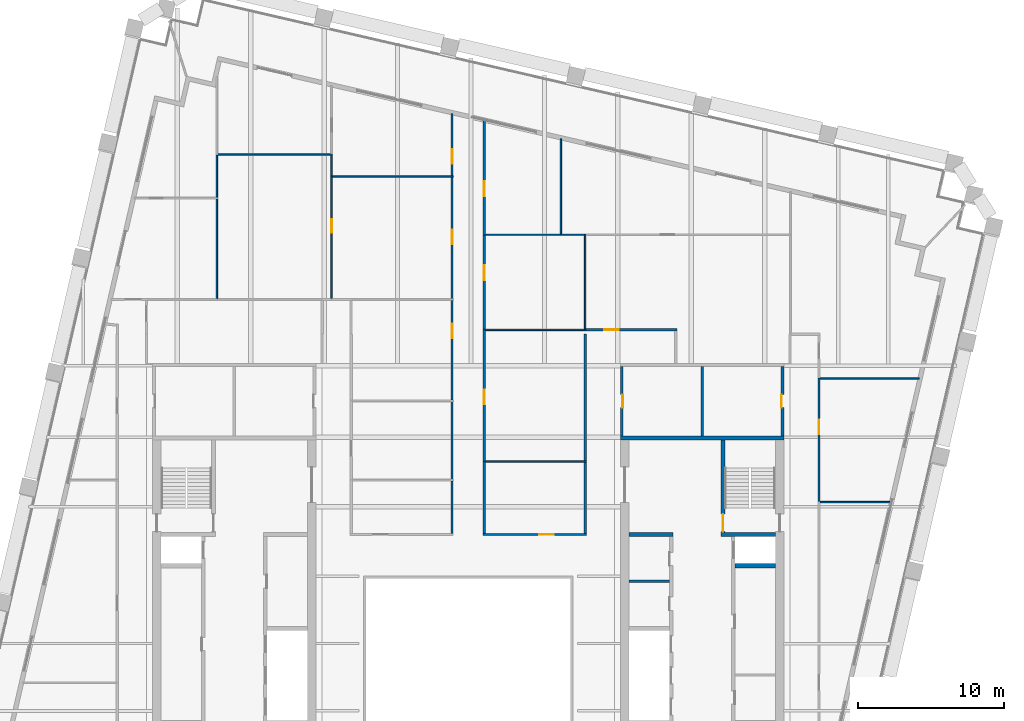
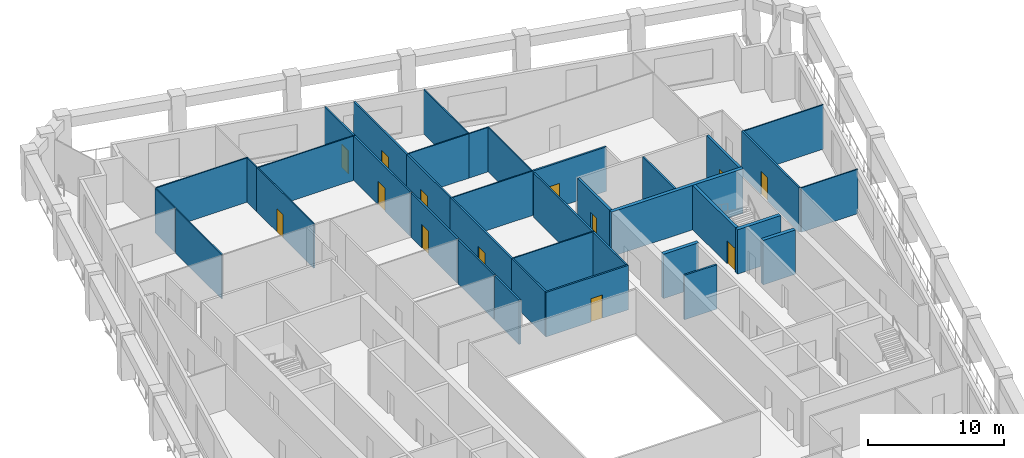
# One storey, part 8 of 10: 37 walls, 13 doors, 13 openings.
"""IFC4 building model written with IfcOpenShell, lengths in metres."""

import ifcopenshell
import ifcopenshell.guid

model = None  # the IFC model being written
_history = None  # IfcOwnerHistory: only IFC2X3 demands one
_inside = {}  # id of a spatial element -> (the spatial element, [elements in it])
_under = {}  # id of a project, library or spatial element -> (it, [spatial elements below it])
_declared = {}  # id of a project -> (the project, [libraries it declares])
_typed = {}  # id of a type object -> (the type object, [elements of that type])
_made_of = {}  # id of a material, layer set ... -> (it, [elements and type objects made of it])


def new_model(schema):
    """Start an empty IFC model of exactly this schema.

    Asked for "IFC4X3", IfcOpenShell would pick the latest addendum, in which some entities
    have other attributes; the version numbers below select the first issue.
    IFC2X3 requires an IfcOwnerHistory on every rooted entity: one is made here for all.
    """
    global model, _history
    if schema == "IFC4X3":
        model = ifcopenshell.file(schema_version=(4, 3, 0, 0))
    else:
        model = ifcopenshell.file(schema=schema)
    _inside.clear()
    _under.clear()
    _declared.clear()
    _typed.clear()
    _made_of.clear()
    _history = None
    if model.schema == "IFC2X3":
        org = make("IfcOrganization", Name="unknown")
        user = make(
            "IfcPersonAndOrganization",
            ThePerson=make("IfcPerson", FamilyName="unknown"),
            TheOrganization=org,
        )
        app = make(
            "IfcApplication",
            ApplicationDeveloper=org,
            Version="unknown",
            ApplicationFullName="unknown",
            ApplicationIdentifier="unknown",
        )
        _history = make(
            "IfcOwnerHistory",
            OwningUser=user,
            OwningApplication=app,
            ChangeAction="ADDED",
            CreationDate=0,
        )
    return model


def make(cls, **values):
    """One entity of the class cls with the attributes given. An attribute that is None is left unset."""
    return model.create_entity(
        cls, **{name: value for name, value in values.items() if value is not None}
    )


def rooted(cls, **values):
    """An entity with a GlobalId (a new one), such as an element, a storey or a relation."""
    return make(cls, GlobalId=ifcopenshell.guid.new(), OwnerHistory=_history, **values)


def si_unit(unit_type, name, prefix=None):
    """IfcSIUnit, for example si_unit("LENGTHUNIT", "METRE", prefix="MILLI")."""
    return make("IfcSIUnit", UnitType=unit_type, Prefix=prefix, Name=name)


def assignment(units):
    """IfcUnitAssignment: the units of a project."""
    return None if units is None else make("IfcUnitAssignment", Units=units)


def point(xyz):
    """IfcCartesianPoint."""
    return None if xyz is None else make("IfcCartesianPoint", Coordinates=xyz)


def direction(xyz):
    """IfcDirection."""
    return None if xyz is None else make("IfcDirection", DirectionRatios=xyz)


def frame(location, z_axis=None, x_axis=None):
    """IfcAxis2Placement3D, a coordinate frame: its origin and axes. An axis left out is left unset."""
    return make(
        "IfcAxis2Placement3D",
        Location=point(location),
        Axis=direction(z_axis),
        RefDirection=direction(x_axis),
    )


def frame_2d(location, x_axis=None):
    """IfcAxis2Placement2D, a coordinate frame in the plane: its origin and x axis."""
    return make(
        "IfcAxis2Placement2D", Location=point(location), RefDirection=direction(x_axis)
    )


def origin():
    """The frame at (0, 0, 0) with its axes left unset."""
    return frame((0.0, 0.0, 0.0))


def place(relative_to, where):
    """IfcLocalPlacement: puts the frame where relative to a parent placement (None: the world)."""
    return make(
        "IfcLocalPlacement", PlacementRelTo=relative_to, RelativePlacement=where
    )


def context(
    kind, dimensions, precision=None, world=None, true_north=None, identifier=None
):
    """IfcGeometricRepresentationContext, for example the 3D "Model" context."""
    return make(
        "IfcGeometricRepresentationContext",
        ContextIdentifier=identifier,
        ContextType=kind,
        CoordinateSpaceDimension=dimensions,
        Precision=precision,
        WorldCoordinateSystem=world,
        TrueNorth=true_north,
    )


def subcontext(parent, identifier, kind, view, scale=None):
    """IfcGeometricRepresentationSubContext, for example "Body" below "Model"."""
    return make(
        "IfcGeometricRepresentationSubContext",
        ContextIdentifier=identifier,
        ContextType=kind,
        ParentContext=parent,
        TargetScale=scale,
        TargetView=view,
    )


def project(units=None, contexts=None):
    """IfcProject with its units and contexts."""
    return rooted(
        "IfcProject",
        Name="project",
        RepresentationContexts=contexts,
        UnitsInContext=assignment(units),
    )


def spatial(cls, under=None, at=None, **own):
    """A site, building, storey or space (cls), placed at a placement, below another one or the project."""
    s = rooted(cls, ObjectPlacement=at, **own)
    if under is not None:
        _under.setdefault(under.id(), (under, []))[1].append(s)
    return s


def profile(cls, at=None, kind="AREA", **sizes):
    """A parametric profile (cls). Its sizes go by their IFC names, for example OverallWidth=200.0."""
    return make(cls, ProfileType=kind, Position=at, **sizes)


def rectangle(**sizes):
    """IfcRectangleProfileDef."""
    return profile("IfcRectangleProfileDef", **sizes)


def extrude(swept, where, along, depth):
    """IfcExtrudedAreaSolid: the profile swept, set in the frame where, extruded along a direction by depth."""
    return make(
        "IfcExtrudedAreaSolid",
        SweptArea=swept,
        Position=where,
        ExtrudedDirection=direction(along),
        Depth=depth,
    )


def shape(context_of_items, identifier, shape_type, items):
    """IfcShapeRepresentation: the items that make up one representation, for example the "Body"."""
    return make(
        "IfcShapeRepresentation",
        ContextOfItems=context_of_items,
        RepresentationIdentifier=identifier,
        RepresentationType=shape_type,
        Items=items,
    )


def material(Name=None, Category=None):
    """IfcMaterial."""
    return make("IfcMaterial", Name=Name, Category=Category)


def layer(
    of_material, thickness, ventilated=None, Name=None, Category=None, Priority=None
):
    """IfcMaterialLayer: one layer of a wall or slab, of a material (None: an air gap)."""
    return make(
        "IfcMaterialLayer",
        Material=of_material,
        LayerThickness=thickness,
        IsVentilated=ventilated,
        Name=Name,
        Category=Category,
        Priority=Priority,
    )


def layer_set(layers, Name=None):
    """IfcMaterialLayerSet."""
    return make("IfcMaterialLayerSet", MaterialLayers=layers, LayerSetName=Name)


def made_of(thing, what):
    """Note that an element or type object is made of a material, layer set ...; save() writes the relation."""
    if what is not None:
        _made_of.setdefault(what.id(), (what, []))[1].append(thing)
    return thing


def type_object(cls, material=None, **own):
    """A type object (cls), such as IfcWallType, which elements share."""
    return made_of(rooted(cls, **own), material)


def element(
    cls,
    number,
    at=None,
    inside=None,
    cuts=None,
    type_object=None,
    material=None,
    context=None,
    identifier="Body",
    shape_type=None,
    held_by="IfcProductDefinitionShape",
    body=None,
    shapes=None,
    **own,
):
    """One element of the class cls, such as IfcWall. Its Tag is "e" and its number.

    at: its placement. inside: the storey or other place that contains it. cuts: it is an
    opening in that element (IfcRelVoidsElement). A single representation is given by context,
    identifier, shape_type and body (its items); several are given by shapes. held_by: the class
    of the entity that holds the representations. save() writes the other relations.
    """
    e = rooted(cls, Tag="e%d" % number, ObjectPlacement=at, **own)
    if body is not None:
        shapes = [shape(context, identifier, shape_type, body)]
    if shapes is not None:
        e.Representation = make(held_by, Representations=shapes)
    if inside is not None:
        _inside.setdefault(inside.id(), (inside, []))[1].append(e)
    if cuts is not None:
        rooted(
            "IfcRelVoidsElement", RelatingBuildingElement=cuts, RelatedOpeningElement=e
        )
    if type_object is not None:
        _typed.setdefault(type_object.id(), (type_object, []))[1].append(e)
    return made_of(e, material)


def fill(opening, filler):
    """IfcRelFillsElement: the door or window that sits in an opening."""
    return rooted(
        "IfcRelFillsElement",
        RelatingOpeningElement=opening,
        RelatedBuildingElement=filler,
    )


def aggregate(whole, parts):
    """IfcRelAggregates: a whole, such as a stair, and the parts it consists of."""
    return rooted("IfcRelAggregates", RelatingObject=whole, RelatedObjects=parts)


def save(model, path):
    """Write the relations noted so far, then the file.

    IfcRelAggregates (storeys below a building ...), IfcRelContainedInSpatialStructure (elements
    in a storey), IfcRelDefinesByType, IfcRelAssociatesMaterial and IfcRelDeclares: one each for
    every whole, place, type object, material and project.
    """
    for whole, parts in _under.values():
        aggregate(whole, parts)
    for where, things in _inside.values():
        rooted(
            "IfcRelContainedInSpatialStructure",
            RelatedElements=things,
            RelatingStructure=where,
        )
    for kind, things in _typed.values():
        rooted("IfcRelDefinesByType", RelatedObjects=things, RelatingType=kind)
    for what, things in _made_of.values():
        rooted("IfcRelAssociatesMaterial", RelatedObjects=things, RelatingMaterial=what)
    for by, libraries in _declared.values():
        rooted("IfcRelDeclares", RelatingContext=by, RelatedDefinitions=libraries)
    model.write(path)


model = new_model("IFC4")

# Units and contexts
model_context = context("Model", 3, precision=1e-05, world=origin(), true_north=direction((0.0, 1.0)))
body_context = subcontext(model_context, "Body", "Model", "MODEL_VIEW")
ifc_project = project(units=[si_unit("LENGTHUNIT", "METRE"), si_unit("AREAUNIT", "SQUARE_METRE"), si_unit("VOLUMEUNIT", "CUBIC_METRE"), si_unit("PLANEANGLEUNIT", "RADIAN"), si_unit("MASSUNIT", "GRAM", prefix="KILO")], contexts=[model_context])

# Site, building, storey
site_placement = place(None, origin())
site = spatial("IfcSite", under=ifc_project, at=site_placement, CompositionType="ELEMENT")
building_placement = place(site_placement, origin())
building = spatial("IfcBuilding", under=site, at=building_placement, Name="Ogive Exchange Tower", CompositionType="ELEMENT")
storey_placement = place(building_placement, frame((0.0, 0.0, 255.60009765625)))
storey = spatial("IfcBuildingStorey", under=building, at=storey_placement, Name="L55", CompositionType="ELEMENT", Elevation=255.60009765625)

# Walls
ifc_material_1 = material(Name="Gypsum board partition")
ifc_layer_1 = layer(ifc_material_1, 0.14990234375)
ifc_layer_set_1 = layer_set([ifc_layer_1], Name="Core room partition 150 gypsum")
wall_type_1 = type_object("IfcWallType", Name="Core room partition 150 gypsum", PredefinedType="PARTITIONING", material=ifc_layer_set_1)
wall_1_placement = place(storey_placement, frame((11.0, 15.800048828125, 0.0), z_axis=(0.0, 0.0, 1.0), x_axis=(1.0, 0.0, 0.0)))
element("IfcWall", 1, at=wall_1_placement, inside=storey, type_object=wall_type_1, Name="E row B bay partition 4-1", PredefinedType="PARTITIONING", context=body_context, shape_type="SweptSolid", body=[
    extrude(rectangle(XDim=2.75, YDim=0.14990234375, at=frame_2d((1.375, 0.0))), origin(), (0.0, 0.0, 1.0), 4.0),
])
wall_2_placement = place(storey_placement, frame((16.0, 25.75, 0.0), z_axis=(0.0, 0.0, 1.0), x_axis=(0.0, 1.0, 0.0)))
element("IfcWall", 2, at=wall_2_placement, inside=storey, type_object=wall_type_1, Name="E annex N column wall", PredefinedType="PARTITIONING", context=body_context, shape_type="SweptSolid", body=[
    extrude(rectangle(XDim=4.75, YDim=0.14990234375, at=frame_2d((2.375, 0.0))), origin(), (0.0, 0.0, 1.0), 4.0),
])
ifc_layer_2 = layer(ifc_material_1, 0.300048828125)
ifc_layer_set_2 = layer_set([ifc_layer_2], Name="Core room partition 300 gypsum")
wall_type_2 = type_object("IfcWallType", Name="Core room partition 300 gypsum", PredefinedType="PARTITIONING", material=ifc_layer_set_2)
wall_3_placement = place(storey_placement, frame((11.0, 19.0, 0.0), z_axis=(0.0, 0.0, 1.0), x_axis=(1.0, 0.0, 0.0)))
element("IfcWall", 3, at=wall_3_placement, inside=storey, type_object=wall_type_2, Name="E row B room end wall 7", PredefinedType="PARTITIONING", context=body_context, shape_type="SweptSolid", body=[
    extrude(rectangle(XDim=3.0, YDim=0.300048828125, at=frame_2d((1.5, 0.0))), origin(), (0.0, 0.0, 1.0), 4.0),
])
ifc_material_2 = material(Name="Fire partition EI 60 150")
ifc_layer_3 = layer(ifc_material_2, 0.14990234375)
ifc_layer_set_3 = layer_set([ifc_layer_3], Name="Fire partition EI 60 150")
wall_type_3 = type_object("IfcWallType", Name="Fire partition EI 60 150", PredefinedType="PARTITIONING", material=ifc_layer_set_3)
wall_4_placement = place(storey_placement, frame((-1.10009765625, 19.074951171875, 0.0), z_axis=(0.0, 0.0, 1.0), x_axis=(0.0, 1.0, 0.0)))
element("IfcWall", 4, at=wall_4_placement, inside=storey, type_object=wall_type_3, Name="L55-PWL-040", PredefinedType="PARTITIONING", context=body_context, shape_type="SweptSolid", body=[
    extrude(rectangle(XDim=3.594970703125, YDim=0.14990234375, at=frame_2d((1.79736328125, 0.0))), origin(), (0.0, 0.0, 1.0), 4.0),
])
wall_5_placement = place(storey_placement, frame((-1.10009765625, 22.77001953125, 0.0), z_axis=(0.0, 0.0, 1.0), x_axis=(0.0, 1.0, 0.0)))
element("IfcWall", 5, at=wall_5_placement, inside=storey, type_object=wall_type_3, Name="L55-PWL-041", PredefinedType="PARTITIONING", context=body_context, shape_type="SweptSolid", body=[
    extrude(rectangle(XDim=5.320068359375, YDim=0.14990234375, at=frame_2d((2.66015625, 0.0))), origin(), (0.0, 0.0, 1.0), 4.0),
])

# Wall, opening, door
wall_6_placement = place(storey_placement, frame((-1.10009765625, 28.18994140625, 0.0), z_axis=(0.0, 0.0, 1.0), x_axis=(0.0, 1.0, 0.0)))
wall_6 = element("IfcWall", 6, at=wall_6_placement, inside=storey, type_object=wall_type_3, Name="L55-PWL-042", PredefinedType="PARTITIONING", context=body_context, shape_type="SweptSolid", body=[
    extrude(rectangle(XDim=6.830078125, YDim=0.14990234375, at=frame_2d((3.4150390625, 0.0))), origin(), (0.0, 0.0, 1.0), 4.0),
])
opening_1_placement = place(wall_6_placement, frame((4.22998046875, 0.0, 0.0)))
opening_1 = element("IfcOpeningElement", 7, at=opening_1_placement, cuts=wall_6, Name="Opening L55-I06", PredefinedType="OPENING", context=body_context, shape_type="SweptSolid", body=[
    extrude(rectangle(XDim=1.0, YDim=2.10009765625, at=frame_2d((0.5, 1.050048828125))), frame((0.0, 0.0849609375, 0.0), z_axis=(0.0, -1.0, 0.0), x_axis=(1.0, 0.0, 0.0)), (0.0, 0.0, 1.0), 0.169921875),
])
ifc_material_3 = material(Name="Fire door FD 30S 1000 x 2100")
door_type_1 = type_object("IfcDoorType", Name="Fire door FD 30S 1000 x 2100", OperationType="NOTDEFINED", PredefinedType="DOOR", material=ifc_material_3)
door_1_placement = place(opening_1_placement, origin())
door_1 = element("IfcDoor", 8, at=door_1_placement, inside=storey, type_object=door_type_1, Name="L55-IDR-006", ObjectType="DT3", OperationType="SINGLE_SWING_LEFT", OverallHeight=2.10009765625, OverallWidth=1.0, PredefinedType="DOOR", context=body_context, shape_type="SweptSolid", body=[
    extrude(rectangle(XDim=1.0, YDim=2.10009765625, at=frame_2d((0.5, 1.050048828125))), frame((0.0, 0.02490234375, 0.0), z_axis=(0.0, -1.0, 0.0), x_axis=(1.0, 0.0, 0.0)), (0.0, 0.0, 1.0), 0.050048828125),
])
fill(opening_1, door_1)

wall_7_placement = place(storey_placement, frame((-1.10009765625, 35.1201171875, 0.0), z_axis=(0.0, 0.0, 1.0), x_axis=(0.0, 1.0, 0.0)))
wall_7 = element("IfcWall", 9, at=wall_7_placement, inside=storey, type_object=wall_type_3, Name="L55-PWL-043", PredefinedType="PARTITIONING", context=body_context, shape_type="SweptSolid", body=[
    extrude(rectangle(XDim=8.329833984375, YDim=0.14990234375, at=frame_2d((4.1650390625, 0.0))), origin(), (0.0, 0.0, 1.0), 4.0),
])
opening_2_placement = place(wall_7_placement, frame((3.72998046875, 0.0, 0.0)))
opening_2 = element("IfcOpeningElement", 10, at=opening_2_placement, cuts=wall_7, Name="Opening L55-I07", PredefinedType="OPENING", context=body_context, shape_type="SweptSolid", body=[
    extrude(rectangle(XDim=1.0, YDim=2.10009765625, at=frame_2d((0.5, 1.050048828125))), frame((0.0, 0.0849609375, 0.0), z_axis=(0.0, -1.0, 0.0), x_axis=(1.0, 0.0, 0.0)), (0.0, 0.0, 1.0), 0.169921875),
])
door_2_placement = place(opening_2_placement, origin())
door_2 = element("IfcDoor", 11, at=door_2_placement, inside=storey, type_object=door_type_1, Name="L55-IDR-007", ObjectType="DT3", OperationType="SINGLE_SWING_LEFT", OverallHeight=2.10009765625, OverallWidth=1.0, PredefinedType="DOOR", context=body_context, shape_type="SweptSolid", body=[
    extrude(rectangle(XDim=1.0, YDim=2.10009765625, at=frame_2d((0.5, 1.050048828125))), frame((0.0, 0.02490234375, 0.0), z_axis=(0.0, -1.0, 0.0), x_axis=(1.0, 0.0, 0.0)), (0.0, 0.0, 1.0), 0.050048828125),
])
fill(opening_2, door_2)

wall_8_placement = place(storey_placement, frame((-1.10009765625, 43.550048828125, 0.0), z_axis=(0.0, 0.0, 1.0), x_axis=(0.0, 1.0, 0.0)))
wall_8 = element("IfcWall", 12, at=wall_8_placement, inside=storey, type_object=wall_type_3, Name="L55-PWL-044", PredefinedType="PARTITIONING", context=body_context, shape_type="SweptSolid", body=[
    extrude(rectangle(XDim=4.22802734375, YDim=0.14990234375, at=frame_2d((2.114013671875, 0.0))), origin(), (0.0, 0.0, 1.0), 4.0),
])
opening_3_placement = place(wall_8_placement, frame((0.800048828125, 0.0, 0.0)))
opening_3 = element("IfcOpeningElement", 13, at=opening_3_placement, cuts=wall_8, Name="Opening L55-I08", PredefinedType="OPENING", context=body_context, shape_type="SweptSolid", body=[
    extrude(rectangle(XDim=1.0, YDim=2.10009765625, at=frame_2d((0.5, 1.050048828125))), frame((0.0, 0.0849609375, 0.0), z_axis=(0.0, -1.0, 0.0), x_axis=(1.0, 0.0, 0.0)), (0.0, 0.0, 1.0), 0.169921875),
])
door_3_placement = place(opening_3_placement, origin())
door_3 = element("IfcDoor", 14, at=door_3_placement, inside=storey, type_object=door_type_1, Name="L55-IDR-008", ObjectType="DT3", OperationType="SINGLE_SWING_RIGHT", OverallHeight=2.10009765625, OverallWidth=1.0, PredefinedType="DOOR", context=body_context, shape_type="SweptSolid", body=[
    extrude(rectangle(XDim=1.0, YDim=2.10009765625, at=frame_2d((0.5, 1.050048828125))), frame((0.0, 0.02490234375, 0.0), z_axis=(0.0, -1.0, 0.0), x_axis=(1.0, 0.0, 0.0)), (0.0, 0.0, 1.0), 0.050048828125),
])
fill(opening_3, door_3)

wall_9_placement = place(storey_placement, frame((1.02490234375, 19.0, 0.0), z_axis=(0.0, 0.0, 1.0), x_axis=(1.0, 0.0, 0.0)))
wall_9 = element("IfcWall", 15, at=wall_9_placement, inside=storey, type_object=wall_type_3, Name="L55-PWL-046", PredefinedType="PARTITIONING", context=body_context, shape_type="SweptSolid", body=[
    extrude(rectangle(XDim=7.050048828125, YDim=0.14990234375, at=frame_2d((3.52490234375, 0.0))), origin(), (0.0, 0.0, 1.0), 4.0),
])
opening_4_placement = place(wall_9_placement, frame((3.824951171875, 0.0, 0.0)))
opening_4 = element("IfcOpeningElement", 16, at=opening_4_placement, cuts=wall_9, Name="Opening L55-I20", PredefinedType="OPENING", context=body_context, shape_type="SweptSolid", body=[
    extrude(rectangle(XDim=1.0, YDim=2.10009765625, at=frame_2d((0.5, 1.050048828125))), frame((0.0, 0.0849609375, 0.0), z_axis=(0.0, -1.0, 0.0), x_axis=(1.0, 0.0, 0.0)), (0.0, 0.0, 1.0), 0.169921875),
])
door_4_placement = place(opening_4_placement, origin())
door_4 = element("IfcDoor", 17, at=door_4_placement, inside=storey, type_object=door_type_1, Name="L55-IDR-020", ObjectType="DT3", OperationType="SINGLE_SWING_LEFT", OverallHeight=2.10009765625, OverallWidth=1.0, PredefinedType="DOOR", context=body_context, shape_type="SweptSolid", body=[
    extrude(rectangle(XDim=1.0, YDim=2.10009765625, at=frame_2d((0.5, 1.050048828125))), frame((0.0, 0.02490234375, 0.0), z_axis=(0.0, -1.0, 0.0), x_axis=(1.0, 0.0, 0.0)), (0.0, 0.0, 1.0), 0.050048828125),
])
fill(opening_4, door_4)

# Wall
wall_10_placement = place(storey_placement, frame((1.10009765625, 24.0, 0.0), z_axis=(0.0, 0.0, 1.0), x_axis=(0.0, -1.0, 0.0)))
element("IfcWall", 18, at=wall_10_placement, inside=storey, type_object=wall_type_3, Name="L55-PWL-047", PredefinedType="PARTITIONING", context=body_context, shape_type="SweptSolid", body=[
    extrude(rectangle(XDim=4.925048828125, YDim=0.14990234375, at=frame_2d((2.46240234375, 0.0))), origin(), (0.0, 0.0, 1.0), 4.0),
])

# Wall, opening, door
wall_11_placement = place(storey_placement, frame((1.10009765625, 33.050048828125, 0.0), z_axis=(0.0, 0.0, 1.0), x_axis=(0.0, -1.0, 0.0)))
wall_11 = element("IfcWall", 19, at=wall_11_placement, inside=storey, type_object=wall_type_3, Name="L55-PWL-049", PredefinedType="PARTITIONING", context=body_context, shape_type="SweptSolid", body=[
    extrude(rectangle(XDim=9.050048828125, YDim=0.14990234375, at=frame_2d((4.52490234375, 0.0))), origin(), (0.0, 0.0, 1.0), 4.0),
])
opening_5_placement = place(wall_11_placement, frame((4.14990234375, 0.0, 0.0)))
opening_5 = element("IfcOpeningElement", 20, at=opening_5_placement, cuts=wall_11, Name="Opening L55-I21", PredefinedType="OPENING", context=body_context, shape_type="SweptSolid", body=[
    extrude(rectangle(XDim=1.0, YDim=2.10009765625, at=frame_2d((0.5, 1.050048828125))), frame((0.0, 0.0849609375, 0.0), z_axis=(0.0, -1.0, 0.0), x_axis=(1.0, 0.0, 0.0)), (0.0, 0.0, 1.0), 0.169921875),
])
door_5_placement = place(opening_5_placement, origin())
door_5 = element("IfcDoor", 21, at=door_5_placement, inside=storey, type_object=door_type_1, Name="L55-IDR-021", ObjectType="DT3", OperationType="SINGLE_SWING_RIGHT", OverallHeight=2.10009765625, OverallWidth=1.0, PredefinedType="DOOR", context=body_context, shape_type="SweptSolid", body=[
    extrude(rectangle(XDim=1.0, YDim=2.10009765625, at=frame_2d((0.5, 1.050048828125))), frame((0.0, 0.02490234375, 0.0), z_axis=(0.0, -1.0, 0.0), x_axis=(1.0, 0.0, 0.0)), (0.0, 0.0, 1.0), 0.050048828125),
])
fill(opening_5, door_5)

wall_12_placement = place(storey_placement, frame((1.10009765625, 39.449951171875, 0.0), z_axis=(0.0, 0.0, 1.0), x_axis=(0.0, -1.0, 0.0)))
wall_12 = element("IfcWall", 22, at=wall_12_placement, inside=storey, type_object=wall_type_3, Name="L55-PWL-050", PredefinedType="PARTITIONING", context=body_context, shape_type="SweptSolid", body=[
    extrude(rectangle(XDim=6.39990234375, YDim=0.14990234375, at=frame_2d((3.199951171875, 0.0))), origin(), (0.0, 0.0, 1.0), 4.0),
])
opening_6_placement = place(wall_12_placement, frame((2.050048828125, 0.0, 0.0)))
opening_6 = element("IfcOpeningElement", 23, at=opening_6_placement, cuts=wall_12, Name="Opening L55-I19", PredefinedType="OPENING", context=body_context, shape_type="SweptSolid", body=[
    extrude(rectangle(XDim=1.0, YDim=2.10009765625, at=frame_2d((0.5, 1.050048828125))), frame((0.0, 0.0849609375, 0.0), z_axis=(0.0, -1.0, 0.0), x_axis=(1.0, 0.0, 0.0)), (0.0, 0.0, 1.0), 0.169921875),
])
door_6_placement = place(opening_6_placement, origin())
door_6 = element("IfcDoor", 24, at=door_6_placement, inside=storey, type_object=door_type_1, Name="L55-IDR-019", ObjectType="DT3", OperationType="SINGLE_SWING_RIGHT", OverallHeight=2.10009765625, OverallWidth=1.0, PredefinedType="DOOR", context=body_context, shape_type="SweptSolid", body=[
    extrude(rectangle(XDim=1.0, YDim=2.10009765625, at=frame_2d((0.5, 1.050048828125))), frame((0.0, 0.02490234375, 0.0), z_axis=(0.0, -1.0, 0.0), x_axis=(1.0, 0.0, 0.0)), (0.0, 0.0, 1.0), 0.050048828125),
])
fill(opening_6, door_6)

wall_13_placement = place(storey_placement, frame((1.10009765625, 47.27001953125, 0.0), z_axis=(0.0, 0.0, 1.0), x_axis=(0.0, -1.0, 0.0)))
wall_13 = element("IfcWall", 25, at=wall_13_placement, inside=storey, type_object=wall_type_3, Name="L55-PWL-051", PredefinedType="PARTITIONING", context=body_context, shape_type="SweptSolid", body=[
    extrude(rectangle(XDim=7.820068359375, YDim=0.14990234375, at=frame_2d((3.91015625, 0.0))), origin(), (0.0, 0.0, 1.0), 4.0),
])
opening_7_placement = place(wall_13_placement, frame((4.1201171875, 0.0, 0.0)))
opening_7 = element("IfcOpeningElement", 26, at=opening_7_placement, cuts=wall_13, Name="Opening L55-I17", PredefinedType="OPENING", context=body_context, shape_type="SweptSolid", body=[
    extrude(rectangle(XDim=1.0, YDim=2.10009765625, at=frame_2d((0.5, 1.050048828125))), frame((0.0, 0.0849609375, 0.0), z_axis=(0.0, -1.0, 0.0), x_axis=(1.0, 0.0, 0.0)), (0.0, 0.0, 1.0), 0.169921875),
])
door_7_placement = place(opening_7_placement, origin())
door_7 = element("IfcDoor", 27, at=door_7_placement, inside=storey, type_object=door_type_1, Name="L55-IDR-017", ObjectType="DT3", OperationType="SINGLE_SWING_LEFT", OverallHeight=2.10009765625, OverallWidth=1.0, PredefinedType="DOOR", context=body_context, shape_type="SweptSolid", body=[
    extrude(rectangle(XDim=1.0, YDim=2.10009765625, at=frame_2d((0.5, 1.050048828125))), frame((0.0, 0.02490234375, 0.0), z_axis=(0.0, -1.0, 0.0), x_axis=(1.0, 0.0, 0.0)), (0.0, 0.0, 1.0), 0.050048828125),
])
fill(opening_7, door_7)

# Walls
wall_14_placement = place(storey_placement, frame((8.0, 19.074951171875, 0.0), z_axis=(0.0, 0.0, 1.0), x_axis=(0.0, 1.0, 0.0)))
element("IfcWall", 28, at=wall_14_placement, inside=storey, type_object=wall_type_3, Name="L55-PWL-054", PredefinedType="PARTITIONING", context=body_context, shape_type="SweptSolid", body=[
    extrude(rectangle(XDim=4.875, YDim=0.14990234375, at=frame_2d((2.4375, 0.0))), origin(), (0.0, 0.0, 1.0), 4.0),
])
wall_15_placement = place(storey_placement, frame((8.0, 24.050048828125, 0.0), z_axis=(0.0, 0.0, 1.0), x_axis=(0.0, 1.0, 0.0)))
element("IfcWall", 29, at=wall_15_placement, inside=storey, type_object=wall_type_3, Name="L55-PWL-055", PredefinedType="PARTITIONING", context=body_context, shape_type="SweptSolid", body=[
    extrude(rectangle(XDim=8.64990234375, YDim=0.14990234375, at=frame_2d((4.324951171875, 0.0))), origin(), (0.0, 0.0, 1.0), 4.0),
])

# Wall, opening, door
wall_16_placement = place(storey_placement, frame((8.010009765625, 33.0, 0.0), z_axis=(0.0, 0.0, 1.0), x_axis=(1.0, 0.0, 0.0)))
wall_16 = element("IfcWall", 30, at=wall_16_placement, inside=storey, type_object=wall_type_3, Name="L55-PWL-059", PredefinedType="PARTITIONING", context=body_context, shape_type="SweptSolid", body=[
    extrude(rectangle(XDim=6.2548828125, YDim=0.14990234375, at=frame_2d((3.12744140625, 0.0))), origin(), (0.0, 0.0, 1.0), 4.0),
])
opening_8_placement = place(wall_16_placement, frame((1.280029296875, 0.0, 0.0)))
opening_8 = element("IfcOpeningElement", 31, at=opening_8_placement, cuts=wall_16, Name="Opening L55-I18", PredefinedType="OPENING", context=body_context, shape_type="SweptSolid", body=[
    extrude(rectangle(XDim=1.0, YDim=2.10009765625, at=frame_2d((0.5, 1.050048828125))), frame((0.0, 0.0849609375, 0.0), z_axis=(0.0, -1.0, 0.0), x_axis=(1.0, 0.0, 0.0)), (0.0, 0.0, 1.0), 0.169921875),
])
door_8_placement = place(opening_8_placement, origin())
door_8 = element("IfcDoor", 32, at=door_8_placement, inside=storey, type_object=door_type_1, Name="L55-IDR-018", ObjectType="DT3", OperationType="SINGLE_SWING_RIGHT", OverallHeight=2.10009765625, OverallWidth=1.0, PredefinedType="DOOR", context=body_context, shape_type="SweptSolid", body=[
    extrude(rectangle(XDim=1.0, YDim=2.10009765625, at=frame_2d((0.5, 1.050048828125))), frame((0.0, 0.02490234375, 0.0), z_axis=(0.0, -1.0, 0.0), x_axis=(1.0, 0.0, 0.0)), (0.0, 0.0, 1.0), 0.050048828125),
])
fill(opening_8, door_8)

wall_17_placement = place(storey_placement, frame((24.0, 29.7099609375, 0.0), z_axis=(0.0, 0.0, 1.0), x_axis=(0.0, -1.0, 0.0)))
wall_17 = element("IfcWall", 33, at=wall_17_placement, inside=storey, type_object=wall_type_3, Name="L55-PWL-076", PredefinedType="PARTITIONING", context=body_context, shape_type="SweptSolid", body=[
    extrude(rectangle(XDim=8.449951171875, YDim=0.14990234375, at=frame_2d((4.22509765625, 0.0))), origin(), (0.0, 0.0, 1.0), 4.0),
])
opening_9_placement = place(wall_17_placement, frame((2.85009765625, 0.0, 0.0)))
opening_9 = element("IfcOpeningElement", 34, at=opening_9_placement, cuts=wall_17, Name="Opening L55-I23", PredefinedType="OPENING", context=body_context, shape_type="SweptSolid", body=[
    extrude(rectangle(XDim=1.0, YDim=2.10009765625, at=frame_2d((0.5, 1.050048828125))), frame((0.0, 0.0849609375, 0.0), z_axis=(0.0, -1.0, 0.0), x_axis=(1.0, 0.0, 0.0)), (0.0, 0.0, 1.0), 0.169921875),
])
door_9_placement = place(opening_9_placement, origin())
door_9 = element("IfcDoor", 35, at=door_9_placement, inside=storey, type_object=door_type_1, Name="L55-IDR-023", ObjectType="DT3", OperationType="SINGLE_SWING_RIGHT", OverallHeight=2.10009765625, OverallWidth=1.0, PredefinedType="DOOR", context=body_context, shape_type="SweptSolid", body=[
    extrude(rectangle(XDim=1.0, YDim=2.10009765625, at=frame_2d((0.5, 1.050048828125))), frame((0.0, 0.02490234375, 0.0), z_axis=(0.0, -1.0, 0.0), x_axis=(1.0, 0.0, 0.0)), (0.0, 0.0, 1.0), 0.050048828125),
])
fill(opening_9, door_9)

# Walls
ifc_material_4 = material(Name="Partition 100 gypsum")
ifc_layer_4 = layer(ifc_material_4, 0.10009765625)
ifc_layer_set_4 = layer_set([ifc_layer_4], Name="Partition 100 gypsum")
wall_type_4 = type_object("IfcWallType", Name="Partition 100 gypsum", PredefinedType="PARTITIONING", material=ifc_layer_set_4)
wall_18_placement = place(storey_placement, frame((-17.18994140625, 35.1201171875, 0.0), z_axis=(0.0, 0.0, 1.0), x_axis=(0.0, 1.0, 0.0)))
element("IfcWall", 36, at=wall_18_placement, inside=storey, type_object=wall_type_4, Name="L55-PWL-017", PredefinedType="PARTITIONING", context=body_context, shape_type="SweptSolid", body=[
    extrude(rectangle(XDim=6.829833984375, YDim=0.10009765625, at=frame_2d((3.4150390625, 0.0))), origin(), (0.0, 0.0, 1.0), 4.0),
])
wall_19_placement = place(storey_placement, frame((-17.18994140625, 42.050048828125, 0.0), z_axis=(0.0, 0.0, 1.0), x_axis=(0.0, 1.0, 0.0)))
element("IfcWall", 37, at=wall_19_placement, inside=storey, type_object=wall_type_4, Name="L55-PWL-019", PredefinedType="PARTITIONING", context=body_context, shape_type="SweptSolid", body=[
    extrude(rectangle(XDim=2.89990234375, YDim=0.10009765625, at=frame_2d((1.449951171875, 0.0))), origin(), (0.0, 0.0, 1.0), 4.0),
])
wall_20_placement = place(storey_placement, frame((-17.139892578125, 45.0, 0.0), z_axis=(0.0, 0.0, 1.0), x_axis=(1.0, 0.0, 0.0)))
element("IfcWall", 38, at=wall_20_placement, inside=storey, type_object=wall_type_4, Name="L55-PWL-021", PredefinedType="PARTITIONING", context=body_context, shape_type="SweptSolid", body=[
    extrude(rectangle(XDim=7.849853515625, YDim=0.10009765625, at=frame_2d((3.9248046875, 0.0))), origin(), (0.0, 0.0, 1.0), 4.0),
])

# Wall, opening, door
wall_21_placement = place(storey_placement, frame((-9.340087890625, 35.14501953125, 0.0), z_axis=(0.0, 0.0, 1.0), x_axis=(0.0, 1.0, 0.0)))
wall_21 = element("IfcWall", 39, at=wall_21_placement, inside=storey, type_object=wall_type_4, Name="L55-PWL-027", PredefinedType="PARTITIONING", context=body_context, shape_type="SweptSolid", body=[
    extrude(rectangle(XDim=8.405029296875, YDim=0.10009765625, at=frame_2d((4.20263671875, 0.0))), origin(), (0.0, 0.0, 1.0), 4.0),
])
opening_10_placement = place(wall_21_placement, frame((4.5048828125, 0.0, 0.0)))
opening_10 = element("IfcOpeningElement", 40, at=opening_10_placement, cuts=wall_21, Name="Opening L55-I09", PredefinedType="OPENING", context=body_context, shape_type="SweptSolid", body=[
    extrude(rectangle(XDim=0.89990234375, YDim=2.10009765625, at=frame_2d((0.449951171875, 1.050048828125))), frame((0.0, 0.06005859375, 0.0), z_axis=(0.0, -1.0, 0.0), x_axis=(1.0, 0.0, 0.0)), (0.0, 0.0, 1.0), 0.1201171875),
])
ifc_material_5 = material(Name="Door 900 x 2100")
door_type_2 = type_object("IfcDoorType", Name="Door 900 x 2100", OperationType="NOTDEFINED", PredefinedType="DOOR", material=ifc_material_5)
door_10_placement = place(opening_10_placement, frame((0.89990234375, 0.0, 0.0), z_axis=(0.0, 0.0, 1.0), x_axis=(-1.0, 0.0, 0.0)))
door_10 = element("IfcDoor", 41, at=door_10_placement, inside=storey, type_object=door_type_2, Name="L55-IDR-009", ObjectType="DT1", OperationType="SINGLE_SWING_RIGHT", OverallHeight=2.10009765625, OverallWidth=0.89990234375, PredefinedType="DOOR", context=body_context, shape_type="SweptSolid", body=[
    extrude(rectangle(XDim=0.89990234375, YDim=2.10009765625, at=frame_2d((0.449951171875, 1.050048828125))), frame((0.0, 0.02490234375, 0.0), z_axis=(0.0, -1.0, 0.0), x_axis=(1.0, 0.0, 0.0)), (0.0, 0.0, 1.0), 0.050048828125),
])
fill(opening_10, door_10)

# Walls
wall_22_placement = place(storey_placement, frame((-9.340087890625, 43.550048828125, 0.0), z_axis=(0.0, 0.0, 1.0), x_axis=(0.0, 1.0, 0.0)))
element("IfcWall", 42, at=wall_22_placement, inside=storey, type_object=wall_type_4, Name="L55-PWL-029", PredefinedType="PARTITIONING", context=body_context, shape_type="SweptSolid", body=[
    extrude(rectangle(XDim=1.39990234375, YDim=0.10009765625, at=frame_2d((0.699951171875, 0.0))), origin(), (0.0, 0.0, 1.0), 4.0),
])
wall_23_placement = place(storey_placement, frame((-9.2900390625, 43.5, 0.0), z_axis=(0.0, 0.0, 1.0), x_axis=(1.0, 0.0, 0.0)))
element("IfcWall", 43, at=wall_23_placement, inside=storey, type_object=wall_type_4, Name="L55-PWL-030", PredefinedType="PARTITIONING", context=body_context, shape_type="SweptSolid", body=[
    extrude(rectangle(XDim=8.26513671875, YDim=0.10009765625, at=frame_2d((4.132568359375, 0.0))), origin(), (0.0, 0.0, 1.0), 4.0),
])
wall_24_placement = place(storey_placement, frame((1.175048828125, 24.0, 0.0), z_axis=(0.0, 0.0, 1.0), x_axis=(1.0, 0.0, 0.0)))
element("IfcWall", 44, at=wall_24_placement, inside=storey, type_object=wall_type_4, Name="L55-PWL-048", PredefinedType="PARTITIONING", context=body_context, shape_type="SweptSolid", body=[
    extrude(rectangle(XDim=6.89990234375, YDim=0.10009765625, at=frame_2d((3.449951171875, 0.0))), origin(), (0.0, 0.0, 1.0), 4.0),
])
wall_25_placement = place(storey_placement, frame((6.389892578125, 39.5, 0.0), z_axis=(0.0, 0.0, 1.0), x_axis=(-1.0, 0.0, 0.0)))
element("IfcWall", 45, at=wall_25_placement, inside=storey, type_object=wall_type_4, Name="L55-PWL-052", PredefinedType="PARTITIONING", context=body_context, shape_type="SweptSolid", body=[
    extrude(rectangle(XDim=5.21484375, YDim=0.10009765625, at=frame_2d((2.607421875, 0.0))), origin(), (0.0, 0.0, 1.0), 4.0),
])
wall_26_placement = place(storey_placement, frame((6.340087890625, 39.550048828125, 0.0), z_axis=(0.0, 0.0, 1.0), x_axis=(0.0, 1.0, 0.0)))
element("IfcWall", 46, at=wall_26_placement, inside=storey, type_object=wall_type_4, Name="L55-PWL-053", PredefinedType="PARTITIONING", context=body_context, shape_type="SweptSolid", body=[
    extrude(rectangle(XDim=6.510986328125, YDim=0.10009765625, at=frame_2d((3.25537109375, 0.0))), origin(), (0.0, 0.0, 1.0), 4.0),
])
wall_27_placement = place(storey_placement, frame((8.050048828125, 33.0, 0.0), z_axis=(0.0, 0.0, 1.0), x_axis=(-1.0, 0.0, 0.0)))
element("IfcWall", 47, at=wall_27_placement, inside=storey, type_object=wall_type_4, Name="L55-PWL-056", PredefinedType="PARTITIONING", context=body_context, shape_type="SweptSolid", body=[
    extrude(rectangle(XDim=6.875, YDim=0.10009765625, at=frame_2d((3.4375, 0.0))), origin(), (0.0, 0.0, 1.0), 4.0),
])
wall_28_placement = place(storey_placement, frame((8.0, 33.050048828125, 0.0), z_axis=(0.0, 0.0, 1.0), x_axis=(0.0, 1.0, 0.0)))
element("IfcWall", 48, at=wall_28_placement, inside=storey, type_object=wall_type_4, Name="L55-PWL-057", PredefinedType="PARTITIONING", context=body_context, shape_type="SweptSolid", body=[
    extrude(rectangle(XDim=6.5, YDim=0.10009765625, at=frame_2d((3.25, 0.0))), origin(), (0.0, 0.0, 1.0), 4.0),
])
wall_29_placement = place(storey_placement, frame((7.949951171875, 39.5, 0.0), z_axis=(0.0, 0.0, 1.0), x_axis=(-1.0, 0.0, 0.0)))
element("IfcWall", 49, at=wall_29_placement, inside=storey, type_object=wall_type_4, Name="L55-PWL-058", PredefinedType="PARTITIONING", context=body_context, shape_type="SweptSolid", body=[
    extrude(rectangle(XDim=1.60986328125, YDim=0.10009765625, at=frame_2d((0.804931640625, 0.0))), origin(), (0.0, 0.0, 1.0), 4.0),
])
wall_30_placement = place(storey_placement, frame((24.074951171875, 21.2099609375, 0.0), z_axis=(0.0, 0.0, 1.0), x_axis=(1.0, 0.0, 0.0)))
element("IfcWall", 50, at=wall_30_placement, inside=storey, type_object=wall_type_4, Name="L55-PWL-075", PredefinedType="PARTITIONING", context=body_context, shape_type="SweptSolid", body=[
    extrude(rectangle(XDim=4.804931640625, YDim=0.10009765625, at=frame_2d((2.40234375, 0.0))), origin(), (0.0, 0.0, 1.0), 4.0),
])
wall_31_placement = place(storey_placement, frame((24.074951171875, 29.659912109375, 0.0), z_axis=(0.0, 0.0, 1.0), x_axis=(1.0, 0.0, 0.0)))
element("IfcWall", 51, at=wall_31_placement, inside=storey, type_object=wall_type_4, Name="L55-PWL-077", PredefinedType="PARTITIONING", context=body_context, shape_type="SweptSolid", body=[
    extrude(rectangle(XDim=6.756103515625, YDim=0.10009765625, at=frame_2d((3.3779296875, 0.0))), origin(), (0.0, 0.0, 1.0), 4.0),
])

# Wall, opening, door
ifc_material_6 = material(Name="Concrete C70/85", Category="concrete")
ifc_layer_5 = layer(ifc_material_6, 0.199951171875)
ifc_layer_set_5 = layer_set([ifc_layer_5], Name="RC core wall 200 C70/85")
wall_type_5 = type_object("IfcWallType", Name="RC core wall 200 C70/85", PredefinedType="SHEAR", material=ifc_layer_set_5)
wall_32_placement = place(storey_placement, frame((21.5, 25.75, 0.0), z_axis=(0.0, 0.0, 1.0), x_axis=(0.0, 1.0, 0.0)))
wall_32 = element("IfcWall", 52, at=wall_32_placement, inside=storey, type_object=wall_type_5, Name="E annex N outer wall", PredefinedType="SHEAR", context=body_context, shape_type="SweptSolid", body=[
    extrude(rectangle(XDim=4.75, YDim=0.199951171875, at=frame_2d((2.375, 0.0))), origin(), (0.0, 0.0, 1.0), 4.0),
])
opening_11_placement = place(wall_32_placement, frame((1.925048828125, 0.0, 0.0)))
opening_11 = element("IfcOpeningElement", 53, at=opening_11_placement, cuts=wall_32, Name="Opening L55-C37", PredefinedType="OPENING", context=body_context, shape_type="SweptSolid", body=[
    extrude(rectangle(XDim=0.89990234375, YDim=2.10009765625, at=frame_2d((0.449951171875, 1.050048828125))), frame((0.0, 0.10986328125, 0.0), z_axis=(0.0, -1.0, 0.0), x_axis=(1.0, 0.0, 0.0)), (0.0, 0.0, 1.0), 0.219970703125),
])
ifc_material_7 = material(Name="Steel fire door", Category="steel")
door_type_3 = type_object("IfcDoorType", Name="Riser door FD60 900 x 2100", OperationType="NOTDEFINED", PredefinedType="DOOR", material=ifc_material_7)
door_11_placement = place(opening_11_placement, frame((0.89990234375, 0.14990234375, 0.0), z_axis=(0.0, 0.0, 1.0), x_axis=(-1.0, 0.0, 0.0)))
door_11 = element("IfcDoor", 54, at=door_11_placement, inside=storey, type_object=door_type_3, Name="Riser door", ObjectType="CD2", OperationType="SINGLE_SWING_LEFT", OverallHeight=2.10009765625, OverallWidth=0.89990234375, PredefinedType="DOOR", context=body_context, shape_type="SweptSolid", body=[
    extrude(rectangle(XDim=0.89990234375, YDim=2.10009765625, at=frame_2d((0.449951171875, 1.050048828125))), frame((0.0, 0.10009765625, 0.0), z_axis=(0.0, -1.0, 0.0), x_axis=(1.0, 0.0, 0.0)), (0.0, 0.0, 1.0), 0.050048828125),
])
fill(opening_11, door_11)

wall_33_placement = place(storey_placement, frame((10.5, 25.75, 0.0), z_axis=(0.0, 0.0, 1.0), x_axis=(0.0, 1.0, 0.0)))
wall_33 = element("IfcWall", 55, at=wall_33_placement, inside=storey, type_object=wall_type_5, Name="E annex N inner wall", PredefinedType="SHEAR", context=body_context, shape_type="SweptSolid", body=[
    extrude(rectangle(XDim=4.75, YDim=0.199951171875, at=frame_2d((2.375, 0.0))), origin(), (0.0, 0.0, 1.0), 4.0),
])
opening_12_placement = place(wall_33_placement, frame((1.925048828125, 0.0, 0.0)))
opening_12 = element("IfcOpeningElement", 56, at=opening_12_placement, cuts=wall_33, Name="Opening L55-C38", PredefinedType="OPENING", context=body_context, shape_type="SweptSolid", body=[
    extrude(rectangle(XDim=0.89990234375, YDim=2.10009765625, at=frame_2d((0.449951171875, 1.050048828125))), frame((0.0, 0.10986328125, 0.0), z_axis=(0.0, -1.0, 0.0), x_axis=(1.0, 0.0, 0.0)), (0.0, 0.0, 1.0), 0.219970703125),
])
door_12_placement = place(opening_12_placement, origin())
door_12 = element("IfcDoor", 57, at=door_12_placement, inside=storey, type_object=door_type_3, Name="Riser door", ObjectType="CD2", OperationType="SINGLE_SWING_LEFT", OverallHeight=2.10009765625, OverallWidth=0.89990234375, PredefinedType="DOOR", context=body_context, shape_type="SweptSolid", body=[
    extrude(rectangle(XDim=0.89990234375, YDim=2.10009765625, at=frame_2d((0.449951171875, 1.050048828125))), frame((0.0, -0.0498046875, 0.0), z_axis=(0.0, -1.0, 0.0), x_axis=(1.0, 0.0, 0.0)), (0.0, 0.0, 1.0), 0.050048828125),
])
fill(opening_12, door_12)

ifc_layer_6 = layer(ifc_material_6, 0.25)
ifc_layer_set_6 = layer_set([ifc_layer_6], Name="RC core wall 250 C70/85")
wall_type_6 = type_object("IfcWallType", Name="RC core wall 250 C70/85", PredefinedType="SHEAR", material=ifc_layer_set_6)
wall_34_placement = place(storey_placement, frame((17.425048828125, 19.14990234375, 0.0), z_axis=(0.0, 0.0, 1.0), x_axis=(0.0, 1.0, 0.0)))
wall_34 = element("IfcWall", 58, at=wall_34_placement, inside=storey, type_object=wall_type_6, Name="E stair N front wall", PredefinedType="SHEAR", context=body_context, shape_type="SweptSolid", body=[
    extrude(rectangle(XDim=6.300048828125, YDim=0.25, at=frame_2d((3.14990234375, 0.0))), origin(), (0.0, 0.0, 1.0), 4.0),
])
opening_13_placement = place(wall_34_placement, frame((0.050048828125, 0.0, 0.0)))
opening_13 = element("IfcOpeningElement", 59, at=opening_13_placement, cuts=wall_34, Name="Opening L55-C33", PredefinedType="OPENING", context=body_context, shape_type="SweptSolid", body=[
    extrude(rectangle(XDim=1.199951171875, YDim=2.10009765625, at=frame_2d((0.60009765625, 1.050048828125))), frame((0.0, 0.135009765625, 0.0), z_axis=(0.0, -1.0, 0.0), x_axis=(1.0, 0.0, 0.0)), (0.0, 0.0, 1.0), 0.27001953125),
])
door_type_4 = type_object("IfcDoorType", Name="Stair door FD90 1200 x 2100", OperationType="NOTDEFINED", PredefinedType="DOOR", material=ifc_material_7)
door_13_placement = place(opening_13_placement, frame((1.199951171875, 0.0, 0.0), z_axis=(0.0, 0.0, 1.0), x_axis=(-1.0, 0.0, 0.0)))
door_13 = element("IfcDoor", 60, at=door_13_placement, inside=storey, type_object=door_type_4, Name="Stair door", ObjectType="CD5", OperationType="SINGLE_SWING_LEFT", OverallHeight=2.10009765625, OverallWidth=1.199951171875, PredefinedType="DOOR", context=body_context, shape_type="SweptSolid", body=[
    extrude(rectangle(XDim=1.199951171875, YDim=2.10009765625, at=frame_2d((0.60009765625, 1.050048828125))), frame((0.0, 0.02490234375, 0.0), z_axis=(0.0, -1.0, 0.0), x_axis=(1.0, 0.0, 0.0)), (0.0, 0.0, 1.0), 0.050048828125),
])
fill(opening_13, door_13)

# Walls
ifc_layer_7 = layer(ifc_material_6, 0.300048828125)
ifc_layer_set_7 = layer_set([ifc_layer_7], Name="RC core wall 300 C70/85")
wall_type_7 = type_object("IfcWallType", Name="RC core wall 300 C70/85", PredefinedType="SHEAR", material=ifc_layer_set_7)
wall_35_placement = place(storey_placement, frame((10.39990234375, 25.60009765625, 0.0), z_axis=(0.0, 0.0, 1.0), x_axis=(1.0, 0.0, 0.0)))
element("IfcWall", 61, at=wall_35_placement, inside=storey, type_object=wall_type_7, Name="E north end wall", PredefinedType="SHEAR", context=body_context, shape_type="SweptSolid", body=[
    extrude(rectangle(XDim=11.2001953125, YDim=0.300048828125, at=frame_2d((5.60009765625, 0.0))), origin(), (0.0, 0.0, 1.0), 4.0),
])
wall_36_placement = place(storey_placement, frame((17.300048828125, 19.0, 0.0), z_axis=(0.0, 0.0, 1.0), x_axis=(1.0, 0.0, 0.0)))
element("IfcWall", 62, at=wall_36_placement, inside=storey, type_object=wall_type_7, Name="E stair N south wall", PredefinedType="SHEAR", context=body_context, shape_type="SweptSolid", body=[
    extrude(rectangle(XDim=3.699951171875, YDim=0.300048828125, at=frame_2d((1.85009765625, 0.0))), origin(), (0.0, 0.0, 1.0), 4.0),
])
wall_37_placement = place(storey_placement, frame((18.25, 16.857177734375, 0.0), z_axis=(0.0, 0.0, 1.0), x_axis=(1.0, 0.0, 0.0)))
element("IfcWall", 63, at=wall_37_placement, inside=storey, type_object=wall_type_7, Name="E row A divider 6", PredefinedType="SHEAR", context=body_context, shape_type="SweptSolid", body=[
    extrude(rectangle(XDim=2.75, YDim=0.300048828125, at=frame_2d((1.375, 0.0))), origin(), (0.0, 0.0, 1.0), 4.0),
])

save(model, "model.ifc")
